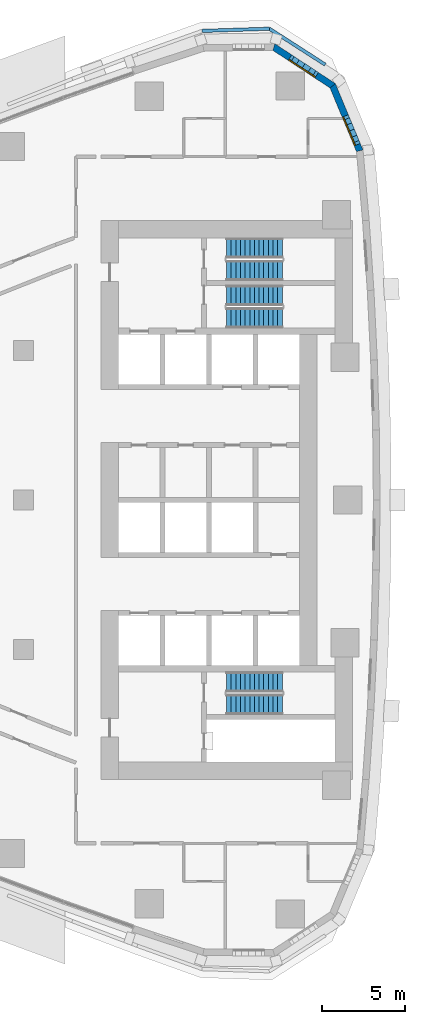
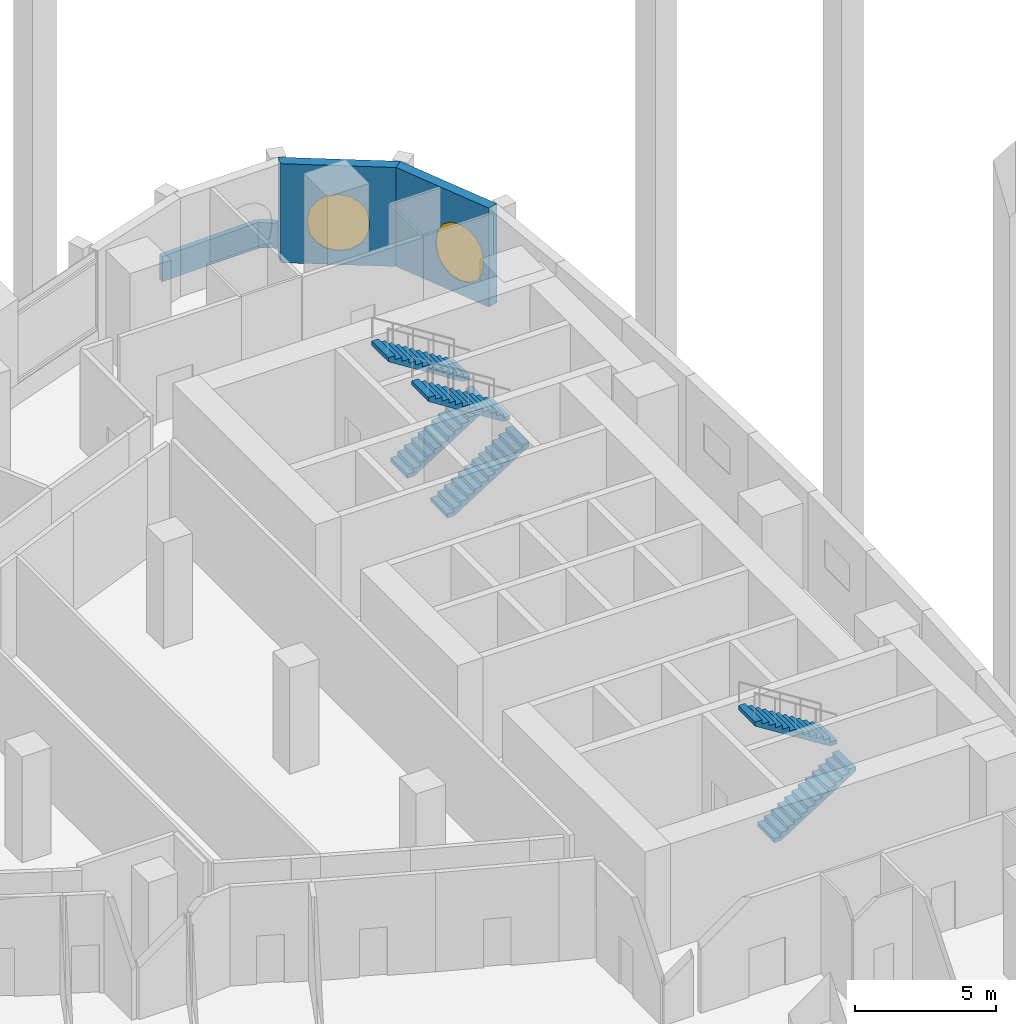
# One storey, part 12 of 17: 6 stair flights, 4 walls, 2 windows, 2 openings, 3 elements without a shape of their own.
"""IFC4 building model written with IfcOpenShell, lengths in metres."""

from ifc_helpers import new_model, si_unit, direction, frame, frame_2d, origin, place, context, subcontext, project, spatial, polyline, rectangle, outline, extrude, material, layer, layer_set, type_object, element, fill, aggregate, save


model = new_model("IFC4")

# Units and contexts
model_context = context("Model", 3, precision=1e-05, world=origin(), true_north=direction((0.0, 1.0)))
body_context = subcontext(model_context, "Body", "Model", "MODEL_VIEW")
ifc_project = project(units=[si_unit("LENGTHUNIT", "METRE"), si_unit("AREAUNIT", "SQUARE_METRE"), si_unit("VOLUMEUNIT", "CUBIC_METRE"), si_unit("PLANEANGLEUNIT", "RADIAN"), si_unit("MASSUNIT", "GRAM", prefix="KILO")], contexts=[model_context])

# Site, building, storey
site_placement = place(None, origin())
site = spatial("IfcSite", under=ifc_project, at=site_placement, CompositionType="ELEMENT")
building_placement = place(site_placement, origin())
building = spatial("IfcBuilding", under=site, at=building_placement, Name="Ostrand Prow Hotel Tower", CompositionType="ELEMENT")
storey_placement = place(building_placement, frame((0.0, 0.0, 80.300048828125)))
storey = spatial("IfcBuildingStorey", under=building, at=storey_placement, Name="L18", CompositionType="ELEMENT", Elevation=80.300048828125)

# Walls
ifc_material_1 = material(Name="Precast concrete C40/50", Category="concrete")
ifc_layer_1 = layer(ifc_material_1, 0.199951171875)
ifc_layer_set_1 = layer_set([ifc_layer_1], Name="Precast concrete C40/50")
wall_type_1 = type_object("IfcWallType", Name="Roof parapet 200 mm precast concrete", PredefinedType="PARAPET", material=ifc_layer_set_1)
wall_1_placement = place(storey_placement, frame((63.141357421875, 26.18408203125, 0.0), z_axis=(0.0, 0.0, 1.0), x_axis=(-0.84093838731, 0.5411308795, 0.0)))
element("IfcWall", 1, at=wall_1_placement, inside=storey, type_object=wall_type_1, Name="Roof parapet LPR0 1.16", PredefinedType="PARAPET", context=body_context, shape_type="SweptSolid", body=[
    extrude(rectangle(XDim=3.999267578125, YDim=0.199951171875, at=frame_2d((1.99951171875, 0.0))), origin(), (0.0, 0.0, 1.0), 1.099853515625),
])
wall_2_placement = place(storey_placement, frame((59.7783203125, 28.34814453125, 0.0), z_axis=(0.0, 0.0, 1.0), x_axis=(-0.999463656479, -0.03274750948, 0.0)))
element("IfcWall", 2, at=wall_2_placement, inside=storey, type_object=wall_type_1, Name="Roof parapet LPR0 1.17", PredefinedType="PARAPET", context=body_context, shape_type="SweptSolid", body=[
    extrude(rectangle(XDim=4.040771484375, YDim=0.199951171875, at=frame_2d((2.0205078125, 0.0))), origin(), (0.0, 0.0, 1.0), 1.099853515625),
])

# Wall, opening, window
ifc_material_2 = material(Name="Precast concrete C40/50", Category="concrete")
ifc_layer_2 = layer(ifc_material_2, 0.39990234375)
ifc_layer_set_2 = layer_set([ifc_layer_2], Name="Precast concrete C40/50")
wall_type_2 = type_object("IfcWallType", Name="Stone-faced precast wall 400 mm", PredefinedType="NOTDEFINED", material=ifc_layer_set_2)
wall_3_placement = place(storey_placement, frame((65.21728515625, 21.001708984375, 0.0), z_axis=(0.0, 0.0, 1.0), x_axis=(-0.383997751971, 0.923334027577, 0.0)))
wall_3 = element("IfcWall", 3, at=wall_3_placement, inside=storey, type_object=wall_type_2, Name="Stone-faced wall back 15", PredefinedType="NOTDEFINED", context=body_context, shape_type="SweptSolid", body=[
    extrude(outline(polyline([(-0.031005859375, -0.199951171875), (4.300048828125, -0.199951171875), (4.177490234375, 0.199951171875), (0.031005859375, 0.199951171875), (-0.031005859375, -0.199951171875)])), origin(), (0.0, 0.0, 1.0), 4.300048828125),
])
opening_1_placement = place(wall_3_placement, frame((0.28662109375, 0.0, 0.60009765625)))
opening_1 = element("IfcOpeningElement", 4, at=opening_1_placement, cuts=wall_3, Name="Opening WP2-21", PredefinedType="OPENING", context=body_context, shape_type="SweptSolid", body=[
    extrude(outline(polyline([(0.0, 1.39990234375), (0.079833984375, 1.8017578125), (0.3076171875, 2.142333984375), (0.648193359375, 2.3701171875), (1.050048828125, 2.449951171875), (1.451904296875, 2.3701171875), (1.79248046875, 2.142333984375), (2.020263671875, 1.8017578125), (2.10009765625, 1.39990234375), (2.10009765625, 1.050048828125), (2.020263671875, 0.648193359375), (1.79248046875, 0.3076171875), (1.451904296875, 0.079833984375), (1.050048828125, 0.0), (0.648193359375, 0.079833984375), (0.3076171875, 0.3076171875), (0.079833984375, 0.648193359375), (0.0, 1.050048828125), (0.0, 1.39990234375)])), frame((0.0, 0.2099609375, 0.0), z_axis=(0.0, -1.0, 0.0), x_axis=(1.0, 0.0, 0.0)), (0.0, 0.0, 1.0), 0.419921875),
])
ifc_material_3 = material(Name="Insulated glass in bronze frame", Category="glass")
window_type_1 = type_object("IfcWindowType", Name="Round-ended prow lounge window 2100x2450", PartitioningType="SINGLE_PANEL", PredefinedType="WINDOW", material=ifc_material_3)
window_1_placement = place(opening_1_placement, origin())
window_1 = element("IfcWindow", 5, at=window_1_placement, inside=storey, type_object=window_type_1, Name="Window back 15.1", OverallHeight=2.449951171875, OverallWidth=2.10009765625, PartitioningType="SINGLE_PANEL", PredefinedType="WINDOW", context=body_context, shape_type="SweptSolid", body=[
    extrude(outline(polyline([(0.0, 1.39990234375), (0.079833984375, 1.8017578125), (0.3076171875, 2.142333984375), (0.648193359375, 2.3701171875), (1.050048828125, 2.449951171875), (1.451904296875, 2.3701171875), (1.79248046875, 2.142333984375), (2.020263671875, 1.8017578125), (2.10009765625, 1.39990234375), (2.10009765625, 1.050048828125), (2.020263671875, 0.648193359375), (1.79248046875, 0.3076171875), (1.451904296875, 0.079833984375), (1.050048828125, 0.0), (0.648193359375, 0.079833984375), (0.3076171875, 0.3076171875), (0.079833984375, 0.648193359375), (0.0, 1.050048828125), (0.0, 1.39990234375)])), frame((0.0, 0.169921875, 0.0), z_axis=(0.0, -1.0, 0.0), x_axis=(1.0, 0.0, 0.0)), (0.0, 0.0, 1.0), 0.06005859375),
])
fill(opening_1, window_1)

wall_4_placement = place(storey_placement, frame((63.589599609375, 24.91552734375, 0.0), z_axis=(0.0, 0.0, 1.0), x_axis=(-0.835340523653, 0.549732852887, 0.0)))
wall_4 = element("IfcWall", 6, at=wall_4_placement, inside=storey, type_object=wall_type_2, Name="Stone-faced wall back 16", PredefinedType="NOTDEFINED", context=body_context, shape_type="SweptSolid", body=[
    extrude(outline(polyline([(-0.061279296875, -0.199951171875), (4.30029296875, -0.199951171875), (4.177734375, 0.199951171875), (0.061279296875, 0.199951171875), (-0.061279296875, -0.199951171875)])), origin(), (0.0, 0.0, 1.0), 4.300048828125),
])
opening_2_placement = place(wall_4_placement, frame((1.01953125, 0.0, 0.60009765625)))
opening_2 = element("IfcOpeningElement", 7, at=opening_2_placement, cuts=wall_4, Name="Opening WP2", PredefinedType="OPENING", context=body_context, shape_type="SweptSolid", body=[
    extrude(outline(polyline([(0.0, 1.35009765625), (0.083740234375, 1.77099609375), (0.322265625, 2.127685546875), (0.678955078125, 2.3662109375), (1.10009765625, 2.449951171875), (1.52099609375, 2.3662109375), (1.877685546875, 2.127685546875), (2.1162109375, 1.77099609375), (2.199951171875, 1.35009765625), (2.199951171875, 1.10009765625), (2.1162109375, 0.678955078125), (1.877685546875, 0.322265625), (1.52099609375, 0.083740234375), (1.10009765625, 0.0), (0.678955078125, 0.083740234375), (0.322265625, 0.322265625), (0.083740234375, 0.678955078125), (0.0, 1.099853515625), (0.0, 1.35009765625)])), frame((0.0, 0.2099609375, 0.0), z_axis=(0.0, -1.0, 0.0), x_axis=(1.0, 0.0, 0.0)), (0.0, 0.0, 1.0), 0.419921875),
])
ifc_material_4 = material(Name="Insulated glass in bronze frame", Category="glass")
window_type_2 = type_object("IfcWindowType", Name="Round-ended prow lounge window 2200x2450", PartitioningType="SINGLE_PANEL", PredefinedType="WINDOW", material=ifc_material_4)
window_2_placement = place(opening_2_placement, origin())
window_2 = element("IfcWindow", 8, at=window_2_placement, inside=storey, type_object=window_type_2, Name="Window back 16.1", OverallHeight=2.449951171875, OverallWidth=2.199951171875, PartitioningType="SINGLE_PANEL", PredefinedType="WINDOW", context=body_context, shape_type="SweptSolid", body=[
    extrude(outline(polyline([(0.0, 1.35009765625), (0.083740234375, 1.77099609375), (0.322265625, 2.127685546875), (0.678955078125, 2.3662109375), (1.10009765625, 2.449951171875), (1.52099609375, 2.3662109375), (1.877685546875, 2.127685546875), (2.1162109375, 1.77099609375), (2.199951171875, 1.35009765625), (2.199951171875, 1.10009765625), (2.1162109375, 0.678955078125), (1.877685546875, 0.322265625), (1.52099609375, 0.083740234375), (1.10009765625, 0.0), (0.678955078125, 0.083740234375), (0.322265625, 0.322265625), (0.083740234375, 0.678955078125), (0.0, 1.099853515625), (0.0, 1.35009765625)])), frame((0.0, 0.169921875, 0.0), z_axis=(0.0, -1.0, 0.0), x_axis=(1.0, 0.0, 0.0)), (0.0, 0.0, 1.0), 0.06005859375),
])
fill(opening_2, window_2)

# Stair, stair flights
ifc_material_5 = material(Name="Concrete C40/50", Category="concrete")
stair_type = type_object("IfcStairType", Name="Exit stair 1200 upper zone", PredefinedType="HALF_TURN_STAIR", material=ifc_material_5)
stair_1_placement = place(storey_placement, origin())
stair_1 = element("IfcStair", 9, at=stair_1_placement, inside=storey, type_object=stair_type, Name="L18 ST1C", PredefinedType="HALF_TURN_STAIR")
ifc_material_6 = material(Name="Concrete C40/50", Category="concrete")
stair_flight_type = type_object("IfcStairFlightType", Name="Stair flight 1200 concrete", PredefinedType="STRAIGHT", material=ifc_material_6)
stair_flight_1_placement = place(storey_placement, frame((57.199951171875, 10.949951171875, 0.0), z_axis=(0.0, 0.0, 1.0), x_axis=(1.0, 0.0, 0.0)))
stair_flight_1 = element("IfcStairFlight", 10, at=stair_flight_1_placement, type_object=stair_flight_type, Name="ST1C flight 1", NumberOfRisers=13, NumberOfTreads=12, PredefinedType="STRAIGHT", RiserHeight=0.176923077, TreadLength=0.28, context=body_context, shape_type="SweptSolid", body=[
    extrude(outline(polyline([(0.0, 0.0), (0.0, 0.177001953125), (0.280029296875, 0.177001953125), (0.280029296875, 0.353759765625), (0.56005859375, 0.353759765625), (0.56005859375, 0.53076171875), (0.840087890625, 0.53076171875), (0.840087890625, 0.707763671875), (1.1201171875, 0.707763671875), (1.1201171875, 0.884521484375), (1.39990234375, 0.884521484375), (1.39990234375, 1.0615234375), (1.679931640625, 1.0615234375), (1.679931640625, 1.238525390625), (1.9599609375, 1.238525390625), (1.9599609375, 1.415283203125), (2.239990234375, 1.415283203125), (2.239990234375, 1.59228515625), (2.52001953125, 1.59228515625), (2.52001953125, 1.769287109375), (2.800048828125, 1.769287109375), (2.800048828125, 1.946044921875), (3.080078125, 1.946044921875), (3.080078125, 2.123046875), (3.360107421875, 2.123046875), (3.360107421875, 2.300048828125), (3.360107421875, 1.94580078125), (0.280517578125, 0.0), (0.0, 0.0)])), frame((0.0, 0.60009765625, 0.0), z_axis=(0.0, -1.0, 0.0), x_axis=(1.0, 0.0, 0.0)), (0.0, 0.0, 1.0), 1.199951171875),
])
stair_flight_2_placement = place(storey_placement, frame((60.56005859375, 12.300048828125, 2.300048828125), z_axis=(0.0, 0.0, 1.0), x_axis=(-1.0, 0.0, 0.0)))
stair_flight_2 = element("IfcStairFlight", 11, at=stair_flight_2_placement, type_object=stair_flight_type, Name="ST1C flight 2", NumberOfRisers=13, NumberOfTreads=12, PredefinedType="STRAIGHT", RiserHeight=0.176923077, TreadLength=0.28, context=body_context, shape_type="SweptSolid", body=[
    extrude(outline(polyline([(0.0, 0.0), (0.0, 0.177001953125), (0.280029296875, 0.177001953125), (0.280029296875, 0.353759765625), (0.56005859375, 0.353759765625), (0.56005859375, 0.53076171875), (0.840087890625, 0.53076171875), (0.840087890625, 0.707763671875), (1.1201171875, 0.707763671875), (1.1201171875, 0.884521484375), (1.39990234375, 0.884521484375), (1.39990234375, 1.0615234375), (1.679931640625, 1.0615234375), (1.679931640625, 1.238525390625), (1.9599609375, 1.238525390625), (1.9599609375, 1.415283203125), (2.239990234375, 1.415283203125), (2.239990234375, 1.59228515625), (2.52001953125, 1.59228515625), (2.52001953125, 1.769287109375), (2.800048828125, 1.769287109375), (2.800048828125, 1.946044921875), (3.080078125, 1.946044921875), (3.080078125, 2.123046875), (3.360107421875, 2.123046875), (3.360107421875, 2.300048828125), (3.360107421875, 1.94580078125), (0.280517578125, 0.0), (0.0, 0.0)])), frame((0.0, 0.60009765625, 0.0), z_axis=(0.0, -1.0, 0.0), x_axis=(1.0, 0.0, 0.0)), (0.0, 0.0, 1.0), 1.199951171875),
])
aggregate(stair_1, [stair_flight_1, stair_flight_2])

stair_2_placement = place(storey_placement, origin())
stair_2 = element("IfcStair", 12, at=stair_2_placement, inside=storey, type_object=stair_type, Name="L18 ST3C", PredefinedType="HALF_TURN_STAIR")
stair_flight_3_placement = place(storey_placement, frame((57.199951171875, 13.800048828125, 0.0), z_axis=(0.0, 0.0, 1.0), x_axis=(1.0, 0.0, 0.0)))
stair_flight_3 = element("IfcStairFlight", 13, at=stair_flight_3_placement, type_object=stair_flight_type, Name="ST3C flight 1", NumberOfRisers=13, NumberOfTreads=12, PredefinedType="STRAIGHT", RiserHeight=0.176923077, TreadLength=0.28, context=body_context, shape_type="SweptSolid", body=[
    extrude(outline(polyline([(0.0, 0.0), (0.0, 0.177001953125), (0.280029296875, 0.177001953125), (0.280029296875, 0.353759765625), (0.56005859375, 0.353759765625), (0.56005859375, 0.53076171875), (0.840087890625, 0.53076171875), (0.840087890625, 0.707763671875), (1.1201171875, 0.707763671875), (1.1201171875, 0.884521484375), (1.39990234375, 0.884521484375), (1.39990234375, 1.0615234375), (1.679931640625, 1.0615234375), (1.679931640625, 1.238525390625), (1.9599609375, 1.238525390625), (1.9599609375, 1.415283203125), (2.239990234375, 1.415283203125), (2.239990234375, 1.59228515625), (2.52001953125, 1.59228515625), (2.52001953125, 1.769287109375), (2.800048828125, 1.769287109375), (2.800048828125, 1.946044921875), (3.080078125, 1.946044921875), (3.080078125, 2.123046875), (3.360107421875, 2.123046875), (3.360107421875, 2.300048828125), (3.360107421875, 1.94580078125), (0.280517578125, 0.0), (0.0, 0.0)])), frame((0.0, 0.60009765625, 0.0), z_axis=(0.0, -1.0, 0.0), x_axis=(1.0, 0.0, 0.0)), (0.0, 0.0, 1.0), 1.199951171875),
])
stair_flight_4_placement = place(storey_placement, frame((60.56005859375, 15.14990234375, 2.300048828125), z_axis=(0.0, 0.0, 1.0), x_axis=(-1.0, 0.0, 0.0)))
stair_flight_4 = element("IfcStairFlight", 14, at=stair_flight_4_placement, type_object=stair_flight_type, Name="ST3C flight 2", NumberOfRisers=13, NumberOfTreads=12, PredefinedType="STRAIGHT", RiserHeight=0.176923077, TreadLength=0.28, context=body_context, shape_type="SweptSolid", body=[
    extrude(outline(polyline([(0.0, 0.0), (0.0, 0.177001953125), (0.280029296875, 0.177001953125), (0.280029296875, 0.353759765625), (0.56005859375, 0.353759765625), (0.56005859375, 0.53076171875), (0.840087890625, 0.53076171875), (0.840087890625, 0.707763671875), (1.1201171875, 0.707763671875), (1.1201171875, 0.884521484375), (1.39990234375, 0.884521484375), (1.39990234375, 1.0615234375), (1.679931640625, 1.0615234375), (1.679931640625, 1.238525390625), (1.9599609375, 1.238525390625), (1.9599609375, 1.415283203125), (2.239990234375, 1.415283203125), (2.239990234375, 1.59228515625), (2.52001953125, 1.59228515625), (2.52001953125, 1.769287109375), (2.800048828125, 1.769287109375), (2.800048828125, 1.946044921875), (3.080078125, 1.946044921875), (3.080078125, 2.123046875), (3.360107421875, 2.123046875), (3.360107421875, 2.300048828125), (3.360107421875, 1.94580078125), (0.280517578125, 0.0), (0.0, 0.0)])), frame((0.0, 0.60009765625, 0.0), z_axis=(0.0, -1.0, 0.0), x_axis=(1.0, 0.0, 0.0)), (0.0, 0.0, 1.0), 1.199951171875),
])
aggregate(stair_2, [stair_flight_3, stair_flight_4])

stair_3_placement = place(storey_placement, origin())
stair_3 = element("IfcStair", 15, at=stair_3_placement, inside=storey, type_object=stair_type, Name="L18 ST2C", PredefinedType="HALF_TURN_STAIR")
stair_flight_5_placement = place(storey_placement, frame((57.199951171875, -12.300048828125, 0.0), z_axis=(0.0, 0.0, 1.0), x_axis=(1.0, 0.0, 0.0)))
stair_flight_5 = element("IfcStairFlight", 16, at=stair_flight_5_placement, type_object=stair_flight_type, Name="ST2C flight 1", NumberOfRisers=13, NumberOfTreads=12, PredefinedType="STRAIGHT", RiserHeight=0.176923077, TreadLength=0.28, context=body_context, shape_type="SweptSolid", body=[
    extrude(outline(polyline([(0.0, 0.0), (0.0, 0.177001953125), (0.280029296875, 0.177001953125), (0.280029296875, 0.353759765625), (0.56005859375, 0.353759765625), (0.56005859375, 0.53076171875), (0.840087890625, 0.53076171875), (0.840087890625, 0.707763671875), (1.1201171875, 0.707763671875), (1.1201171875, 0.884521484375), (1.39990234375, 0.884521484375), (1.39990234375, 1.0615234375), (1.679931640625, 1.0615234375), (1.679931640625, 1.238525390625), (1.9599609375, 1.238525390625), (1.9599609375, 1.415283203125), (2.239990234375, 1.415283203125), (2.239990234375, 1.59228515625), (2.52001953125, 1.59228515625), (2.52001953125, 1.769287109375), (2.800048828125, 1.769287109375), (2.800048828125, 1.946044921875), (3.080078125, 1.946044921875), (3.080078125, 2.123046875), (3.360107421875, 2.123046875), (3.360107421875, 2.300048828125), (3.360107421875, 1.94580078125), (0.280517578125, 0.0), (0.0, 0.0)])), frame((0.0, 0.60009765625, 0.0), z_axis=(0.0, -1.0, 0.0), x_axis=(1.0, 0.0, 0.0)), (0.0, 0.0, 1.0), 1.199951171875),
])
stair_flight_6_placement = place(storey_placement, frame((60.56005859375, -10.949951171875, 2.300048828125), z_axis=(0.0, 0.0, 1.0), x_axis=(-1.0, 0.0, 0.0)))
stair_flight_6 = element("IfcStairFlight", 17, at=stair_flight_6_placement, type_object=stair_flight_type, Name="ST2C flight 2", NumberOfRisers=13, NumberOfTreads=12, PredefinedType="STRAIGHT", RiserHeight=0.176923077, TreadLength=0.28, context=body_context, shape_type="SweptSolid", body=[
    extrude(outline(polyline([(0.0, 0.0), (0.0, 0.177001953125), (0.280029296875, 0.177001953125), (0.280029296875, 0.353759765625), (0.56005859375, 0.353759765625), (0.56005859375, 0.53076171875), (0.840087890625, 0.53076171875), (0.840087890625, 0.707763671875), (1.1201171875, 0.707763671875), (1.1201171875, 0.884521484375), (1.39990234375, 0.884521484375), (1.39990234375, 1.0615234375), (1.679931640625, 1.0615234375), (1.679931640625, 1.238525390625), (1.9599609375, 1.238525390625), (1.9599609375, 1.415283203125), (2.239990234375, 1.415283203125), (2.239990234375, 1.59228515625), (2.52001953125, 1.59228515625), (2.52001953125, 1.769287109375), (2.800048828125, 1.769287109375), (2.800048828125, 1.946044921875), (3.080078125, 1.946044921875), (3.080078125, 2.123046875), (3.360107421875, 2.123046875), (3.360107421875, 2.300048828125), (3.360107421875, 1.94580078125), (0.280517578125, 0.0), (0.0, 0.0)])), frame((0.0, 0.60009765625, 0.0), z_axis=(0.0, -1.0, 0.0), x_axis=(1.0, 0.0, 0.0)), (0.0, 0.0, 1.0), 1.199951171875),
])
aggregate(stair_3, [stair_flight_5, stair_flight_6])

save(model, "model.ifc")
